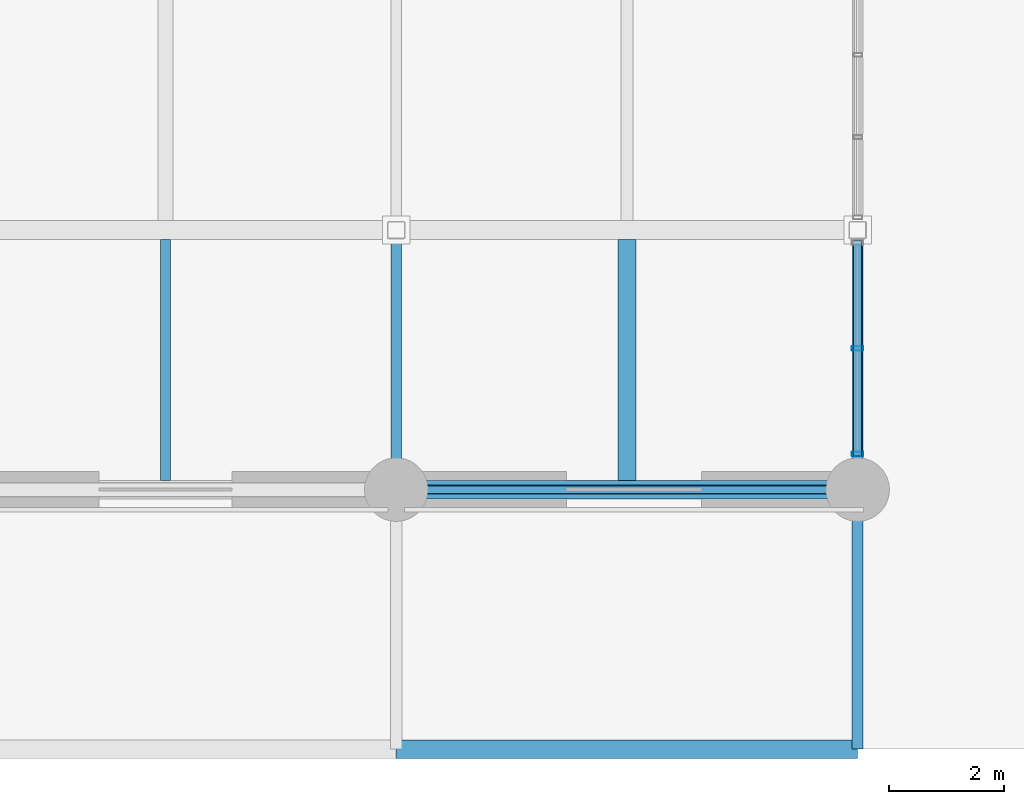
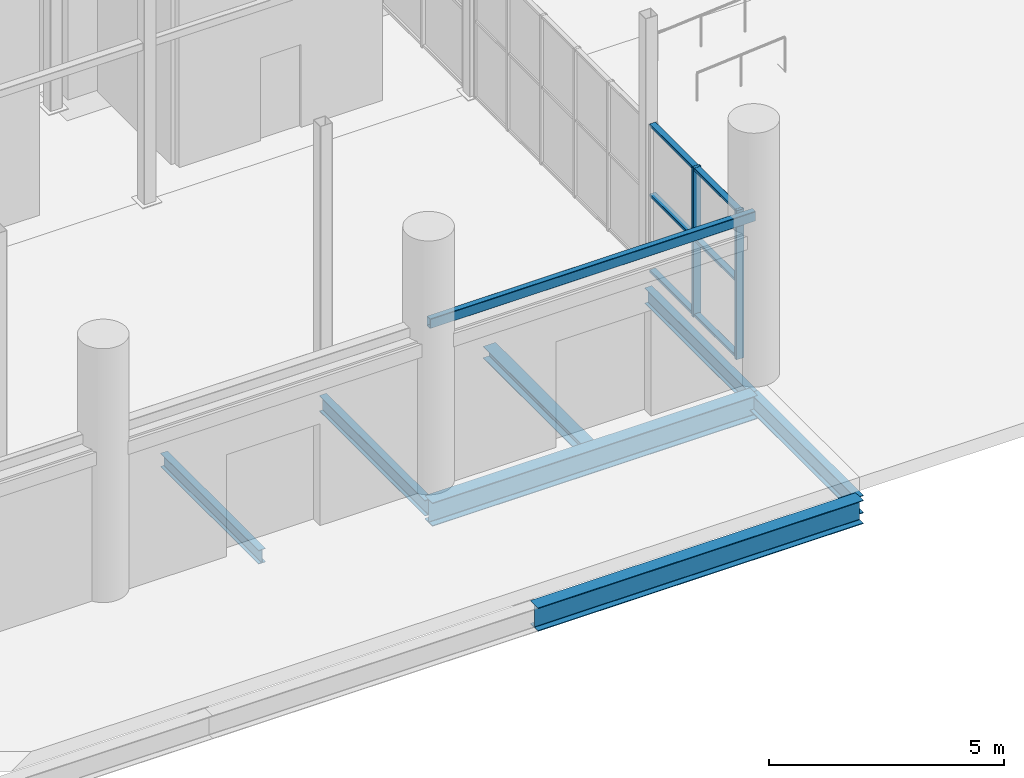
# One storey, part 29 of 140: 8 beams, 5 members, 1 element without a shape of its own.
"""IFC4 building model written with IfcOpenShell, lengths in metres."""

from ifc_helpers import new_model, si_unit, direction, frame, origin, origin_2d, place, context, subcontext, project, spatial, hollow_rectangle, i_section, extrude, material, material_profile, profile_set, type_object, element, aggregate, save


model = new_model("IFC4")

# Units and contexts
model_context = context("Model", 3, precision=1e-05, world=origin(), true_north=direction((0.0, 1.0)))
body_context = subcontext(model_context, "Body", "Model", "MODEL_VIEW")
ifc_project = project(units=[si_unit("LENGTHUNIT", "METRE"), si_unit("AREAUNIT", "SQUARE_METRE"), si_unit("VOLUMEUNIT", "CUBIC_METRE"), si_unit("PLANEANGLEUNIT", "RADIAN"), si_unit("MASSUNIT", "GRAM", prefix="KILO")], contexts=[model_context])

# Site, building, storey
site_placement = place(None, origin())
site = spatial("IfcSite", under=ifc_project, at=site_placement, CompositionType="ELEMENT")
building_placement = place(site_placement, origin())
building = spatial("IfcBuilding", under=site, at=building_placement, Name="Verrall Gate Interchange", CompositionType="ELEMENT")
storey_placement = place(building_placement, origin())
storey = spatial("IfcBuildingStorey", under=building, at=storey_placement, Name="L01", CompositionType="ELEMENT", Elevation=0.0)

# Beams
ifc_material_1 = material(Name="Structural Steel CSA G40.21 350WT Cat 4", Category="steel")
ifc_material_profile_1 = material_profile(ifc_material_1, i_section(OverallWidth=0.323974609375, OverallDepth=0.611083984375, WebThickness=0.0126953125, FlangeThickness=0.01904296875, FilletRadius=0.014892578125, at=origin_2d()), Name="W610x155")
ifc_profile_set_1 = profile_set([ifc_material_profile_1], Name="Structural Steel CSA G40.21 350WT Cat 4")
beam_type_1 = type_object("IfcBeamType", Name="B-08 Structural Beam W610x155", PredefinedType="BEAM", material=ifc_profile_set_1)
for number, where, z_axis, x_axis, name in (
    (1, (100.0, -4.5, -0.805419921875), (1.0, 0.0, 0.0), (0.0, 1.0, 0.0), "L01 Girder BM-L01-0732 (B-08)"),
    (2, (100.0, 0.0, -0.805419921875), (1.0, 0.0, 0.0), (0.0, 1.0, 0.0), "L01 Girder BM-L01-0747 (B-08)"),
):
    element("IfcBeam", number, at=place(storey_placement, frame(where, z_axis=z_axis, x_axis=x_axis)), inside=storey, type_object=beam_type_1, Name=name, PredefinedType="BEAM", context=body_context, shape_type="SweptSolid", body=[
        extrude(i_section(OverallWidth=0.323974609375, OverallDepth=0.611083984375, WebThickness=0.0126953125, FlangeThickness=0.01904296875, FilletRadius=0.014892578125, at=origin_2d()), origin(), (0.0, 0.0, 1.0), 8.0),
    ])
ifc_material_2 = material(Name="Structural Steel CSA G40.21 350W", Category="steel")
ifc_material_profile_2 = material_profile(ifc_material_2, i_section(OverallWidth=0.19189453125, OverallDepth=0.462890625, WebThickness=0.010498046875, FlangeThickness=0.017578125, FilletRadius=0.012939453125, at=origin_2d()), Name="W460x89")
ifc_profile_set_2 = profile_set([ifc_material_profile_2], Name="Structural Steel CSA G40.21 350W")
beam_type_2 = type_object("IfcBeamType", Name="B-11 Structural Beam W460x89", PredefinedType="BEAM", material=ifc_profile_set_2)
beam_1_placement = place(storey_placement, frame((108.0, -4.5, -0.7314453125), z_axis=(0.0, 1.0, 0.0), x_axis=(-1.0, 0.0, 0.0)))
element("IfcBeam", 3, at=beam_1_placement, inside=storey, type_object=beam_type_2, Name="L01 Girder BM-L01-1168 (B-11)", PredefinedType="BEAM", context=body_context, shape_type="SweptSolid", body=[
    extrude(i_section(OverallWidth=0.19189453125, OverallDepth=0.462890625, WebThickness=0.010498046875, FlangeThickness=0.017578125, FilletRadius=0.012939453125, at=origin_2d()), origin(), (0.0, 0.0, 1.0), 4.5),
])
ifc_material_3 = material(Name="Structural Steel CSA G40.21 350W", Category="steel")
ifc_material_profile_3 = material_profile(ifc_material_3, i_section(OverallWidth=0.178955078125, OverallDepth=0.409912109375, WebThickness=0.0087890625, FlangeThickness=0.014404296875, FilletRadius=0.011962890625, at=origin_2d()), Name="W410x67")
ifc_profile_set_3 = profile_set([ifc_material_profile_3], Name="Structural Steel CSA G40.21 350W")
beam_type_3 = type_object("IfcBeamType", Name="B-12 Structural Beam W410x67", PredefinedType="BEAM", material=ifc_profile_set_3)
for number, where, z_axis, x_axis, name in (
    (4, (100.0, 0.0, -0.705078125), (0.0, 1.0, 0.0), (-1.0, 0.0, 0.0), "L01 Girder BM-L01-1158 (B-12)"),
    (5, (108.0, 0.0, -0.705078125), (0.0, 1.0, 0.0), (-1.0, 0.0, 0.0), "L01 Girder BM-L01-1169 (B-12)"),
):
    element("IfcBeam", number, at=place(storey_placement, frame(where, z_axis=z_axis, x_axis=x_axis)), inside=storey, type_object=beam_type_3, Name=name, PredefinedType="BEAM", context=body_context, shape_type="SweptSolid", body=[
        extrude(i_section(OverallWidth=0.178955078125, OverallDepth=0.409912109375, WebThickness=0.0087890625, FlangeThickness=0.014404296875, FilletRadius=0.011962890625, at=origin_2d()), origin(), (0.0, 0.0, 1.0), 4.5),
    ])

# Curtain wall, members
ifc_material_4 = material(Name="Thermally Broken Anodized Aluminium Curtain Wall Framing", Category="aluminium")
curtain_wall_type = type_object("IfcCurtainWallType", Name="CW-01 Unitized Curtain Wall 3734x3870", PredefinedType="NOTDEFINED", material=ifc_material_4)
curtain_wall_placement = place(storey_placement, origin())
curtain_wall = element("IfcCurtainWall", 6, at=curtain_wall_placement, inside=storey, type_object=curtain_wall_type, Name="L01 Unitized Curtain Wall CW-L01-001", PredefinedType="NOTDEFINED")
ifc_material_5 = material(Name="Thermally Broken Anodized Aluminium Curtain Wall Framing", Category="aluminium")
ifc_material_profile_4 = material_profile(ifc_material_5, hollow_rectangle(XDim=0.074951171875, YDim=0.199951171875, WallThickness=0.0048828125, InnerFilletRadius=0.0048828125, OuterFilletRadius=0.010009765625, at=origin_2d()), Name="CWM200x75x5")
ifc_profile_set_4 = profile_set([ifc_material_profile_4], Name="Thermally Broken Anodized Aluminium Curtain Wall Framing")
member_type_1 = type_object("IfcMemberType", Name="CM-02 Curtain Mullion CWM200x75x5", PredefinedType="MULLION", material=ifc_profile_set_4)
member_1_placement = place(storey_placement, frame((108.0, 0.619384765625, 0.0), z_axis=(0.0, 0.0, 1.0), x_axis=(0.0, 1.0, 0.0)))
member_1 = element("IfcMember", 7, at=member_1_placement, type_object=member_type_1, Name="CW-L01-001 Mullion 1", PredefinedType="MULLION", context=body_context, shape_type="SweptSolid", body=[
    extrude(hollow_rectangle(XDim=0.074951171875, YDim=0.199951171875, WallThickness=0.0048828125, InnerFilletRadius=0.0048828125, OuterFilletRadius=0.010009765625, at=origin_2d()), origin(), (0.0, 0.0, 1.0), 3.8701171875),
])
member_2_placement = place(storey_placement, frame((108.0, 2.44873046875, 0.0), z_axis=(0.0, 0.0, 1.0), x_axis=(0.0, 1.0, 0.0)))
member_2 = element("IfcMember", 8, at=member_2_placement, type_object=member_type_1, Name="CW-L01-001 Mullion 2", PredefinedType="MULLION", context=body_context, shape_type="SweptSolid", body=[
    extrude(hollow_rectangle(XDim=0.074951171875, YDim=0.199951171875, WallThickness=0.0048828125, InnerFilletRadius=0.0048828125, OuterFilletRadius=0.010009765625, at=origin_2d()), origin(), (0.0, 0.0, 1.0), 3.8701171875),
])
ifc_material_6 = material(Name="Thermally Broken Anodized Aluminium Curtain Wall Framing", Category="aluminium")
ifc_material_profile_5 = material_profile(ifc_material_6, hollow_rectangle(XDim=0.14990234375, YDim=0.074951171875, WallThickness=0.00439453125, InnerFilletRadius=0.00439453125, OuterFilletRadius=0.009033203125, at=origin_2d()), Name="CWT150x75x4.5")
ifc_profile_set_5 = profile_set([ifc_material_profile_5], Name="Thermally Broken Anodized Aluminium Curtain Wall Framing")
member_type_2 = type_object("IfcMemberType", Name="CT-02 Curtain Transom CWT150x75x4.5", PredefinedType="USERDEFINED", material=ifc_profile_set_5)
member_3_placement = place(storey_placement, frame((108.0, 0.58203125, 0.03759765625), z_axis=(0.0, 1.0, 0.0), x_axis=(-1.0, 0.0, 0.0)))
member_3 = element("IfcMember", 9, at=member_3_placement, type_object=member_type_2, Name="CW-L01-001 Transom 1", ObjectType="TRANSOM", PredefinedType="USERDEFINED", context=body_context, shape_type="SweptSolid", body=[
    extrude(hollow_rectangle(XDim=0.14990234375, YDim=0.074951171875, WallThickness=0.00439453125, InnerFilletRadius=0.00439453125, OuterFilletRadius=0.009033203125, at=origin_2d()), origin(), (0.0, 0.0, 1.0), 3.7333984375),
])
member_4_placement = place(storey_placement, frame((108.0, 0.58203125, 2.012451171875), z_axis=(0.0, 1.0, 0.0), x_axis=(-1.0, 0.0, 0.0)))
member_4 = element("IfcMember", 10, at=member_4_placement, type_object=member_type_2, Name="CW-L01-001 Transom 2", ObjectType="TRANSOM", PredefinedType="USERDEFINED", context=body_context, shape_type="SweptSolid", body=[
    extrude(hollow_rectangle(XDim=0.14990234375, YDim=0.074951171875, WallThickness=0.00439453125, InnerFilletRadius=0.00439453125, OuterFilletRadius=0.009033203125, at=origin_2d()), origin(), (0.0, 0.0, 1.0), 3.7333984375),
])
member_5_placement = place(storey_placement, frame((108.0, 0.58203125, 3.83251953125), z_axis=(0.0, 1.0, 0.0), x_axis=(-1.0, 0.0, 0.0)))
member_5 = element("IfcMember", 11, at=member_5_placement, type_object=member_type_2, Name="CW-L01-001 Transom 3", ObjectType="TRANSOM", PredefinedType="USERDEFINED", context=body_context, shape_type="SweptSolid", body=[
    extrude(hollow_rectangle(XDim=0.14990234375, YDim=0.074951171875, WallThickness=0.00439453125, InnerFilletRadius=0.00439453125, OuterFilletRadius=0.009033203125, at=origin_2d()), origin(), (0.0, 0.0, 1.0), 3.7333984375),
])
aggregate(curtain_wall, [member_1, member_2, member_3, member_4, member_5])

# Beams
ifc_material_7 = material(Name="Structural Steel CSA G40.21 350W", Category="steel")
ifc_material_profile_6 = material_profile(ifc_material_7, i_section(OverallWidth=0.172119140625, OverallDepth=0.35791015625, WebThickness=0.0078125, FlangeThickness=0.01318359375, FilletRadius=0.010986328125, at=origin_2d()), Name="W360x57")
ifc_profile_set_6 = profile_set([ifc_material_profile_6], Name="Structural Steel CSA G40.21 350W")
beam_type_4 = type_object("IfcBeamType", Name="J-01 Floor Joist W360x57", PredefinedType="JOIST", material=ifc_profile_set_6)
beam_2_placement = place(storey_placement, frame((96.0, 0.162109375, -0.678955078125), z_axis=(0.0, 1.0, 0.0), x_axis=(-1.0, 0.0, 0.0)))
element("IfcBeam", 12, at=beam_2_placement, inside=storey, type_object=beam_type_4, Name="L01 Secondary Floor Joist JST-L01-1263", PredefinedType="JOIST", context=body_context, shape_type="SweptSolid", body=[
    extrude(i_section(OverallWidth=0.172119140625, OverallDepth=0.35791015625, WebThickness=0.0078125, FlangeThickness=0.01318359375, FilletRadius=0.010986328125, at=origin_2d()), origin(), (0.0, 0.0, 1.0), 4.17578125),
])
ifc_material_8 = material(Name="Structural Steel CSA G40.21 350W", Category="steel")
ifc_material_profile_7 = material_profile(ifc_material_8, i_section(OverallWidth=0.306884765625, OverallDepth=0.31396484375, WebThickness=0.011962890625, FlangeThickness=0.018798828125, FilletRadius=0.013916015625, at=origin_2d()), Name="W310x118")
ifc_profile_set_7 = profile_set([ifc_material_profile_7], Name="Structural Steel CSA G40.21 350W")
beam_type_5 = type_object("IfcBeamType", Name="J-02 Floor Joist W310x118", PredefinedType="JOIST", material=ifc_profile_set_7)
beam_3_placement = place(storey_placement, frame((104.0, 0.162109375, -0.656982421875), z_axis=(0.0, 1.0, 0.0), x_axis=(-1.0, 0.0, 0.0)))
element("IfcBeam", 13, at=beam_3_placement, inside=storey, type_object=beam_type_5, Name="L01 Secondary Floor Joist JST-L01-1264", PredefinedType="JOIST", context=body_context, shape_type="SweptSolid", body=[
    extrude(i_section(OverallWidth=0.306884765625, OverallDepth=0.31396484375, WebThickness=0.011962890625, FlangeThickness=0.018798828125, FilletRadius=0.013916015625, at=origin_2d()), origin(), (0.0, 0.0, 1.0), 4.17578125),
])
ifc_material_9 = material(Name="Structural Steel CSA G40.21 350W", Category="steel")
ifc_material_profile_8 = material_profile(ifc_material_9, hollow_rectangle(XDim=0.152099609375, YDim=0.25390625, WallThickness=0.009521484375, InnerFilletRadius=0.009521484375, OuterFilletRadius=0.01904296875, at=origin_2d()), Name="HSS254x152x9.5")
ifc_profile_set_8 = profile_set([ifc_material_profile_8], Name="Structural Steel CSA G40.21 350W")
beam_type_6 = type_object("IfcBeamType", Name="LN-01 Portal Lintel HSS254x152x9.5", PredefinedType="LINTEL", material=ifc_profile_set_8)
beam_4_placement = place(storey_placement, frame((100.0, 0.0, 4.10009765625), z_axis=(1.0, 0.0, 0.0), x_axis=(0.0, 1.0, 0.0)))
element("IfcBeam", 14, at=beam_4_placement, inside=storey, type_object=beam_type_6, Name="Classical Portal Lintel 017", PredefinedType="LINTEL", context=body_context, shape_type="SweptSolid", body=[
    extrude(hollow_rectangle(XDim=0.152099609375, YDim=0.25390625, WallThickness=0.009521484375, InnerFilletRadius=0.009521484375, OuterFilletRadius=0.01904296875, at=origin_2d()), origin(), (0.0, 0.0, 1.0), 8.0),
])

save(model, "model.ifc")
